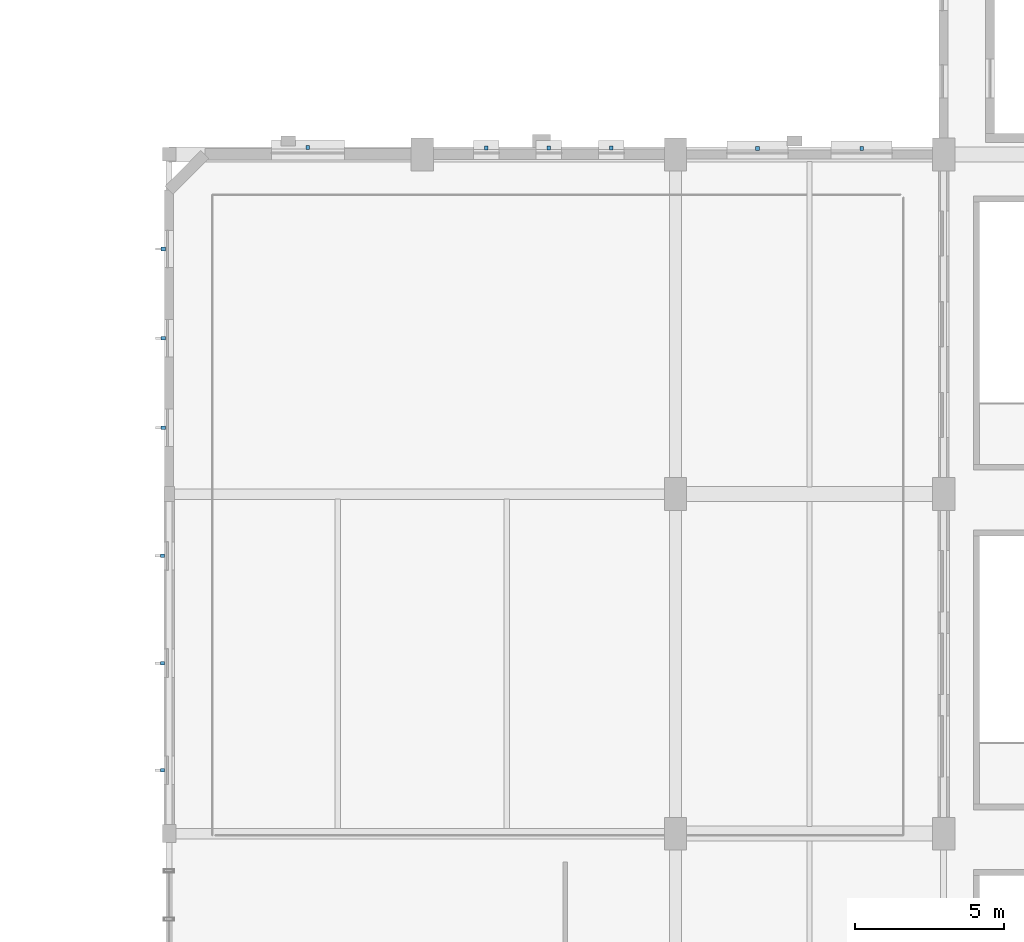
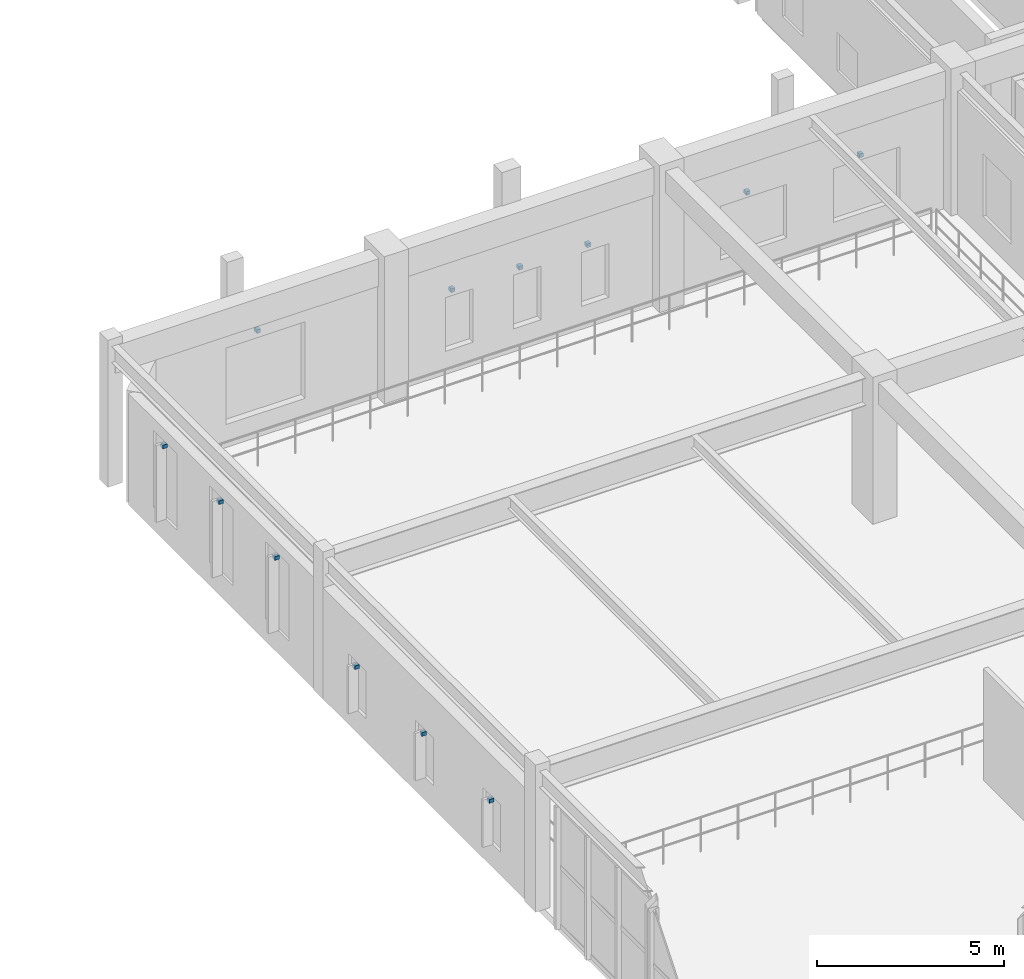
# One storey, part 95 of 106: 12 discrete accessories.
"""IFC4 building model written with IfcOpenShell, lengths in metres."""

from ifc_helpers import new_model, si_unit, direction, frame, origin, origin_2d, place, context, subcontext, project, spatial, rectangle, extrude, material, type_object, element, save


model = new_model("IFC4")

# Units and contexts
model_context = context("Model", 3, precision=1e-05, world=origin(), true_north=direction((0.0, 1.0)))
body_context = subcontext(model_context, "Body", "Model", "MODEL_VIEW")
ifc_project = project(units=[si_unit("LENGTHUNIT", "METRE"), si_unit("AREAUNIT", "SQUARE_METRE"), si_unit("VOLUMEUNIT", "CUBIC_METRE"), si_unit("PLANEANGLEUNIT", "RADIAN"), si_unit("MASSUNIT", "GRAM", prefix="KILO"), si_unit("POWERUNIT", "WATT"), si_unit("THERMODYNAMICTEMPERATUREUNIT", "KELVIN")], contexts=[model_context])

# Site, building, storey
site_placement = place(None, origin())
site = spatial("IfcSite", under=ifc_project, at=site_placement, CompositionType="ELEMENT")
building_placement = place(site_placement, origin())
building = spatial("IfcBuilding", under=site, at=building_placement, Name="Kelmbourne Parkland Aquatics Centre", CompositionType="ELEMENT")
storey_placement = place(building_placement, frame((0.0, 0.0, 5.39990234375)))
storey = spatial("IfcBuildingStorey", under=building, at=storey_placement, Name="L01", CompositionType="ELEMENT", Elevation=5.39990234375)

# Discrete accessories
ifc_material = material(Name="Hot-dip galvanised structural steel AS/NZS 4680", Category="steel")
discrete_accessory_type = type_object("IfcDiscreteAccessoryType", Name="ACC-BRK-1", PredefinedType="BRACKET", material=ifc_material)
for number, where, z_axis, x_axis, name in (
    (1, (101.784912109375, 82.72705078125, 2.14013671875), (0.0, 0.0, 1.0), (0.0, 1.0, 0.0), "Galvanised sunshade fixing bracket 116"),
    (2, (101.784912109375, 86.324951171875, 2.14013671875), (0.0, 0.0, 1.0), (0.0, 1.0, 0.0), "Galvanised sunshade fixing bracket 117"),
    (3, (101.784912109375, 89.923095703125, 2.14013671875), (0.0, 0.0, 1.0), (0.0, 1.0, 0.0), "Galvanised sunshade fixing bracket 118"),
    (4, (101.804931640625, 94.22705078125, 3.090087890625), (0.0, 0.0, 1.0), (0.0, 1.0, 0.0), "Galvanised sunshade fixing bracket 119"),
    (5, (101.804931640625, 97.22607421875, 3.090087890625), (0.0, 0.0, 1.0), (0.0, 1.0, 0.0), "Galvanised sunshade fixing bracket 120"),
    (6, (101.804931640625, 100.22509765625, 3.090087890625), (0.0, 0.0, 1.0), (0.0, 1.0, 0.0), "Galvanised sunshade fixing bracket 121"),
    (7, (106.66162109375, 103.635009765625, 3.090087890625), (0.0, 0.0, 1.0), (1.0, 0.0, 0.0), "Galvanised sunshade fixing bracket 122"),
    (8, (112.652099609375, 103.614990234375, 2.340087890625), (0.0, 0.0, 1.0), (1.0, 0.0, 0.0), "Galvanised sunshade fixing bracket 123"),
    (9, (114.75, 103.614990234375, 2.340087890625), (0.0, 0.0, 1.0), (1.0, 0.0, 0.0), "Galvanised sunshade fixing bracket 124"),
    (10, (116.847900390625, 103.614990234375, 2.340087890625), (0.0, 0.0, 1.0), (1.0, 0.0, 0.0), "Galvanised sunshade fixing bracket 125"),
    (11, (121.751953125, 103.594970703125, 2.340087890625), (0.0, 0.0, 1.0), (1.0, 0.0, 0.0), "Galvanised sunshade fixing bracket 126"),
    (12, (125.248046875, 103.594970703125, 2.340087890625), (0.0, 0.0, 1.0), (1.0, 0.0, 0.0), "Galvanised sunshade fixing bracket 127"),
):
    element("IfcDiscreteAccessory", number, at=place(storey_placement, frame(where, z_axis=z_axis, x_axis=x_axis)), inside=storey, type_object=discrete_accessory_type, Name=name, PredefinedType="BRACKET", context=body_context, shape_type="SweptSolid", body=[
        extrude(rectangle(XDim=0.1201171875, YDim=0.139892578125, at=origin_2d()), origin(), (0.0, 0.0, 1.0), 0.1201171875),
    ])

save(model, "model.ifc")
